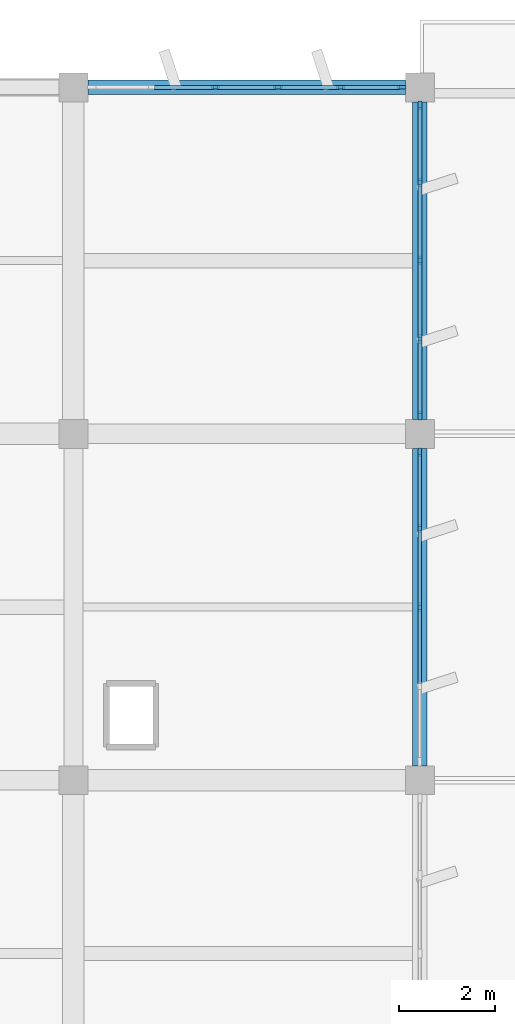
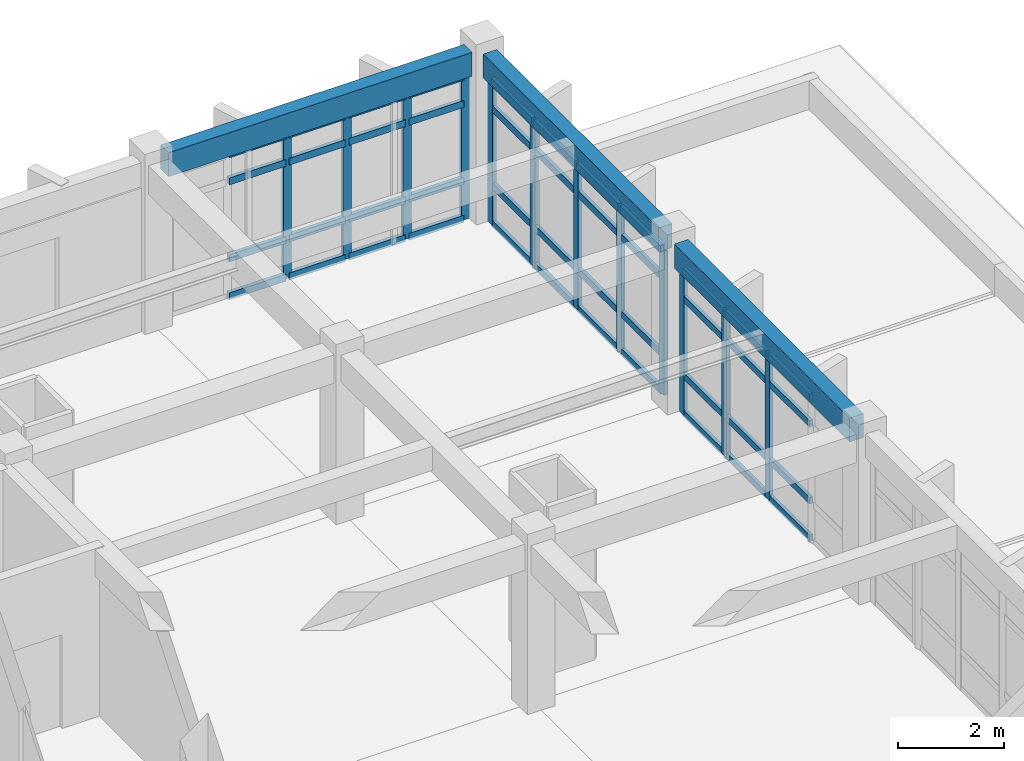
# One storey, part 25 of 62: 56 members, 3 beams, 3 elements without a shape of their own.
"""IFC4 building model written with IfcOpenShell, lengths in metres."""

from ifc_helpers import new_model, si_unit, direction, frame, origin, origin_2d, place, context, subcontext, project, spatial, rectangle, extrude, material, layer, layer_set, material_profile, profile_set, type_object, element, aggregate, save


model = new_model("IFC4")

# Units and contexts
model_context = context("Model", 3, precision=1e-05, world=origin(), true_north=direction((0.0, 1.0)))
body_context = subcontext(model_context, "Body", "Model", "MODEL_VIEW")
ifc_project = project(units=[si_unit("LENGTHUNIT", "METRE"), si_unit("AREAUNIT", "SQUARE_METRE"), si_unit("VOLUMEUNIT", "CUBIC_METRE"), si_unit("PLANEANGLEUNIT", "RADIAN"), si_unit("MASSUNIT", "GRAM", prefix="KILO")], contexts=[model_context])

# Site, building, storey
site_placement = place(None, origin())
site = spatial("IfcSite", under=ifc_project, at=site_placement, CompositionType="ELEMENT")
building_placement = place(site_placement, origin())
building = spatial("IfcBuilding", under=site, at=building_placement, Name="Kavelor Marine Aquarium", CompositionType="ELEMENT")
storey_placement = place(building_placement, frame((0.0, 0.0, 13.5)))
storey = spatial("IfcBuildingStorey", under=building, at=storey_placement, Name="L03", CompositionType="ELEMENT", Elevation=13.5)

# Beams
ifc_material_1 = material(Name="Concrete C40/50", Category="concrete")
ifc_material_profile_1 = material_profile(ifc_material_1, rectangle(XDim=0.300048828125, YDim=0.550048828125, at=origin_2d()), Name="RC-SP 300x550")
ifc_profile_set_1 = profile_set([ifc_material_profile_1], Name="Concrete C40/50")
beam_type = type_object("IfcBeamType", Name="BM-SP2", PredefinedType="SPANDREL", material=ifc_profile_set_1)
beam_placement = place(storey_placement, frame((140.300048828125, 110.800048828125, 3.60498046875), z_axis=(1.0, 0.0, 0.0), x_axis=(0.0, 1.0, 0.0)))
element("IfcBeam", 1, at=beam_placement, inside=storey, type_object=beam_type, Name="bm:x:L03:L04:19_15", PredefinedType="SPANDREL", context=body_context, shape_type="SweptSolid", body=[
    extrude(rectangle(XDim=0.300048828125, YDim=0.550048828125, at=origin_2d()), origin(), (0.0, 0.0, 1.0), 6.599853515625),
])
for number, where, z_axis, x_axis, name in (
    (2, (147.199951171875, 96.699951171875, 3.60498046875), (0.0, 1.0, 0.0), (-1.0, 0.0, 0.0), "bm:y:L03:L04:20_13"),
    (3, (147.199951171875, 103.89990234375, 3.60498046875), (0.0, 1.0, 0.0), (-1.0, 0.0, 0.0), "bm:y:L03:L04:20_14"),
):
    element("IfcBeam", number, at=place(storey_placement, frame(where, z_axis=z_axis, x_axis=x_axis)), inside=storey, type_object=beam_type, Name=name, PredefinedType="SPANDREL", context=body_context, shape_type="SweptSolid", body=[
        extrude(rectangle(XDim=0.300048828125, YDim=0.550048828125, at=origin_2d()), origin(), (0.0, 0.0, 1.0), 6.60009765625),
    ])

# Curtain wall, members
ifc_material_2 = material(Name="Thermally Broken Aluminium and Low-E Glass", Category="aluminium")
ifc_layer_1 = layer(ifc_material_2, 0.219970703125)
ifc_layer_set_1 = layer_set([ifc_layer_1], Name="CW-SYS10")
curtain_wall_type_1 = type_object("IfcCurtainWallType", Name="CW-SYS10", PredefinedType="USERDEFINED", material=ifc_layer_set_1)
curtain_wall_1_placement = place(storey_placement, origin())
curtain_wall_1 = element("IfcCurtainWall", 4, at=curtain_wall_1_placement, inside=storey, type_object=curtain_wall_type_1, Name="cw:x:L03:19_15", ObjectType="Curtain Wall", PredefinedType="USERDEFINED")
ifc_material_3 = material(Name="Anodised Aluminium Alloy 6063-T6", Category="aluminium")
ifc_material_profile_2 = material_profile(ifc_material_3, rectangle(XDim=0.074951171875, YDim=0.179931640625, at=origin_2d()), Name="CW-MUL 75x180")
ifc_profile_set_2 = profile_set([ifc_material_profile_2], Name="Anodised Aluminium Alloy 6063-T6")
member_type_1 = type_object("IfcMemberType", Name="CWM-1", PredefinedType="MULLION", material=ifc_profile_set_2)
member_1_placement = place(storey_placement, frame((142.948974609375, 110.800048828125, 0.0), z_axis=(0.0, 0.0, 1.0), x_axis=(0.0, 1.0, 0.0)))
member_1 = element("IfcMember", 5, at=member_1_placement, type_object=member_type_1, Name="CW10 mullion 3", PredefinedType="MULLION", context=body_context, shape_type="SweptSolid", body=[
    extrude(rectangle(XDim=0.074951171875, YDim=0.179931640625, at=origin_2d()), origin(), (0.0, 0.0, 1.0), 3.320068359375),
])
member_2_placement = place(storey_placement, frame((144.2509765625, 110.800048828125, 0.0), z_axis=(0.0, 0.0, 1.0), x_axis=(0.0, 1.0, 0.0)))
member_2 = element("IfcMember", 6, at=member_2_placement, type_object=member_type_1, Name="CW10 mullion 4", PredefinedType="MULLION", context=body_context, shape_type="SweptSolid", body=[
    extrude(rectangle(XDim=0.074951171875, YDim=0.179931640625, at=origin_2d()), origin(), (0.0, 0.0, 1.0), 3.320068359375),
])
member_3_placement = place(storey_placement, frame((145.552978515625, 110.800048828125, 0.0), z_axis=(0.0, 0.0, 1.0), x_axis=(0.0, 1.0, 0.0)))
member_3 = element("IfcMember", 7, at=member_3_placement, type_object=member_type_1, Name="CW10 mullion 5", PredefinedType="MULLION", context=body_context, shape_type="SweptSolid", body=[
    extrude(rectangle(XDim=0.074951171875, YDim=0.179931640625, at=origin_2d()), origin(), (0.0, 0.0, 1.0), 3.320068359375),
])
member_4_placement = place(storey_placement, frame((146.8173828125, 110.800048828125, 0.0), z_axis=(0.0, 0.0, 1.0), x_axis=(0.0, 1.0, 0.0)))
member_4 = element("IfcMember", 8, at=member_4_placement, type_object=member_type_1, Name="CW10 mullion 6", PredefinedType="MULLION", context=body_context, shape_type="SweptSolid", body=[
    extrude(rectangle(XDim=0.074951171875, YDim=0.179931640625, at=origin_2d()), origin(), (0.0, 0.0, 1.0), 3.320068359375),
])

ifc_material_4 = material(Name="Thermally Broken Aluminium and Low-E Glass", Category="aluminium")
ifc_layer_2 = layer(ifc_material_4, 0.243896484375)
ifc_layer_set_2 = layer_set([ifc_layer_2], Name="CW-SYS13")
curtain_wall_type_2 = type_object("IfcCurtainWallType", Name="CW-SYS13", PredefinedType="USERDEFINED", material=ifc_layer_set_2)
curtain_wall_2_placement = place(storey_placement, origin())
curtain_wall_2 = element("IfcCurtainWall", 9, at=curtain_wall_2_placement, inside=storey, type_object=curtain_wall_type_2, Name="cw:y:L03:20_13", ObjectType="Curtain Wall", PredefinedType="USERDEFINED")
member_5_placement = place(storey_placement, frame((147.199951171875, 100.0, 0.0), z_axis=(0.0, 0.0, 1.0), x_axis=(-1.0, 0.0, 0.0)))
member_5 = element("IfcMember", 10, at=member_5_placement, type_object=member_type_1, Name="CW13 mullion 3", PredefinedType="MULLION", context=body_context, shape_type="SweptSolid", body=[
    extrude(rectangle(XDim=0.074951171875, YDim=0.179931640625, at=origin_2d()), origin(), (0.0, 0.0, 1.0), 3.320068359375),
])
member_6_placement = place(storey_placement, frame((147.199951171875, 101.62744140625, 0.0), z_axis=(0.0, 0.0, 1.0), x_axis=(-1.0, 0.0, 0.0)))
member_6 = element("IfcMember", 11, at=member_6_placement, type_object=member_type_1, Name="CW13 mullion 4", PredefinedType="MULLION", context=body_context, shape_type="SweptSolid", body=[
    extrude(rectangle(XDim=0.074951171875, YDim=0.179931640625, at=origin_2d()), origin(), (0.0, 0.0, 1.0), 3.320068359375),
])
member_7_placement = place(storey_placement, frame((147.199951171875, 103.217529296875, 0.0), z_axis=(0.0, 0.0, 1.0), x_axis=(-1.0, 0.0, 0.0)))
member_7 = element("IfcMember", 12, at=member_7_placement, type_object=member_type_1, Name="CW13 mullion 5", PredefinedType="MULLION", context=body_context, shape_type="SweptSolid", body=[
    extrude(rectangle(XDim=0.074951171875, YDim=0.179931640625, at=origin_2d()), origin(), (0.0, 0.0, 1.0), 3.320068359375),
])

ifc_material_5 = material(Name="Thermally Broken Aluminium and Low-E Glass", Category="aluminium")
ifc_layer_3 = layer(ifc_material_5, 0.251953125)
ifc_layer_set_3 = layer_set([ifc_layer_3], Name="CW-SYS14")
curtain_wall_type_3 = type_object("IfcCurtainWallType", Name="CW-SYS14", PredefinedType="USERDEFINED", material=ifc_layer_set_3)
curtain_wall_3_placement = place(storey_placement, origin())
curtain_wall_3 = element("IfcCurtainWall", 13, at=curtain_wall_3_placement, inside=storey, type_object=curtain_wall_type_3, Name="cw:y:L03:20_14", ObjectType="Curtain Wall", PredefinedType="USERDEFINED")
ifc_material_6 = material(Name="Anodised Aluminium Alloy 6063-T6", Category="aluminium")
ifc_material_profile_3 = material_profile(ifc_material_6, rectangle(XDim=0.080078125, YDim=0.18505859375, at=origin_2d()), Name="CW-MUL 80x185")
ifc_profile_set_3 = profile_set([ifc_material_profile_3], Name="Anodised Aluminium Alloy 6063-T6")
member_type_2 = type_object("IfcMemberType", Name="CWM-2", PredefinedType="MULLION", material=ifc_profile_set_3)
member_8_placement = place(storey_placement, frame((147.199951171875, 103.9775390625, 0.0), z_axis=(0.0, 0.0, 1.0), x_axis=(-1.0, 0.0, 0.0)))
member_8 = element("IfcMember", 14, at=member_8_placement, type_object=member_type_2, Name="CW14 mullion 1", PredefinedType="MULLION", context=body_context, shape_type="SweptSolid", body=[
    extrude(rectangle(XDim=0.080078125, YDim=0.18505859375, at=origin_2d()), origin(), (0.0, 0.0, 1.0), 3.320068359375),
])
member_9_placement = place(storey_placement, frame((147.199951171875, 105.572509765625, 0.0), z_axis=(0.0, 0.0, 1.0), x_axis=(-1.0, 0.0, 0.0)))
member_9 = element("IfcMember", 15, at=member_9_placement, type_object=member_type_2, Name="CW14 mullion 2", PredefinedType="MULLION", context=body_context, shape_type="SweptSolid", body=[
    extrude(rectangle(XDim=0.080078125, YDim=0.18505859375, at=origin_2d()), origin(), (0.0, 0.0, 1.0), 3.320068359375),
])
member_10_placement = place(storey_placement, frame((147.199951171875, 107.199951171875, 0.0), z_axis=(0.0, 0.0, 1.0), x_axis=(-1.0, 0.0, 0.0)))
member_10 = element("IfcMember", 16, at=member_10_placement, type_object=member_type_2, Name="CW14 mullion 3", PredefinedType="MULLION", context=body_context, shape_type="SweptSolid", body=[
    extrude(rectangle(XDim=0.080078125, YDim=0.18505859375, at=origin_2d()), origin(), (0.0, 0.0, 1.0), 3.320068359375),
])
member_11_placement = place(storey_placement, frame((147.199951171875, 108.827392578125, 0.0), z_axis=(0.0, 0.0, 1.0), x_axis=(-1.0, 0.0, 0.0)))
member_11 = element("IfcMember", 17, at=member_11_placement, type_object=member_type_2, Name="CW14 mullion 4", PredefinedType="MULLION", context=body_context, shape_type="SweptSolid", body=[
    extrude(rectangle(XDim=0.080078125, YDim=0.18505859375, at=origin_2d()), origin(), (0.0, 0.0, 1.0), 3.320068359375),
])
member_12_placement = place(storey_placement, frame((147.199951171875, 110.422607421875, 0.0), z_axis=(0.0, 0.0, 1.0), x_axis=(-1.0, 0.0, 0.0)))
member_12 = element("IfcMember", 18, at=member_12_placement, type_object=member_type_2, Name="CW14 mullion 5", PredefinedType="MULLION", context=body_context, shape_type="SweptSolid", body=[
    extrude(rectangle(XDim=0.080078125, YDim=0.18505859375, at=origin_2d()), origin(), (0.0, 0.0, 1.0), 3.320068359375),
])

# Member
ifc_material_7 = material(Name="Anodised Aluminium Alloy 6063-T6", Category="aluminium")
ifc_material_profile_4 = material_profile(ifc_material_7, rectangle(XDim=0.074951171875, YDim=0.14990234375, at=origin_2d()), Name="CW-TRN 75x150")
ifc_profile_set_4 = profile_set([ifc_material_profile_4], Name="Anodised Aluminium Alloy 6063-T6")
member_type_3 = type_object("IfcMemberType", Name="CWT-1", PredefinedType="USERDEFINED", material=ifc_profile_set_4)
member_13_placement = place(storey_placement, frame((147.199951171875, 98.409912109375, 0.03759765625), z_axis=(0.0, 1.0, 0.0), x_axis=(-1.0, 0.0, 0.0)))
member_13 = element("IfcMember", 19, at=member_13_placement, type_object=member_type_3, Name="CW13 transom 2.1", ObjectType="TRANSOM", PredefinedType="USERDEFINED", context=body_context, shape_type="SweptSolid", body=[
    extrude(rectangle(XDim=0.074951171875, YDim=0.14990234375, at=origin_2d()), origin(), (0.0, 0.0, 1.0), 1.552490234375),
])

member_14_placement = place(storey_placement, frame((147.199951171875, 98.409912109375, 0.89990234375), z_axis=(0.0, 1.0, 0.0), x_axis=(-1.0, 0.0, 0.0)))
member_14 = element("IfcMember", 20, at=member_14_placement, type_object=member_type_3, Name="CW13 transom 2.2", ObjectType="TRANSOM", PredefinedType="USERDEFINED", context=body_context, shape_type="SweptSolid", body=[
    extrude(rectangle(XDim=0.074951171875, YDim=0.14990234375, at=origin_2d()), origin(), (0.0, 0.0, 1.0), 1.552490234375),
])

member_15_placement = place(storey_placement, frame((147.199951171875, 98.409912109375, 2.669921875), z_axis=(0.0, 1.0, 0.0), x_axis=(-1.0, 0.0, 0.0)))
member_15 = element("IfcMember", 21, at=member_15_placement, type_object=member_type_3, Name="CW13 transom 2.3", ObjectType="TRANSOM", PredefinedType="USERDEFINED", context=body_context, shape_type="SweptSolid", body=[
    extrude(rectangle(XDim=0.074951171875, YDim=0.14990234375, at=origin_2d()), origin(), (0.0, 0.0, 1.0), 1.552490234375),
])

member_16_placement = place(storey_placement, frame((147.199951171875, 98.409912109375, 3.282470703125), z_axis=(0.0, 1.0, 0.0), x_axis=(-1.0, 0.0, 0.0)))
member_16 = element("IfcMember", 22, at=member_16_placement, type_object=member_type_3, Name="CW13 transom 2.4", ObjectType="TRANSOM", PredefinedType="USERDEFINED", context=body_context, shape_type="SweptSolid", body=[
    extrude(rectangle(XDim=0.074951171875, YDim=0.14990234375, at=origin_2d()), origin(), (0.0, 0.0, 1.0), 1.552490234375),
])

member_17_placement = place(storey_placement, frame((147.199951171875, 100.03759765625, 0.03759765625), z_axis=(0.0, 1.0, 0.0), x_axis=(-1.0, 0.0, 0.0)))
member_17 = element("IfcMember", 23, at=member_17_placement, type_object=member_type_3, Name="CW13 transom 3.1", ObjectType="TRANSOM", PredefinedType="USERDEFINED", context=body_context, shape_type="SweptSolid", body=[
    extrude(rectangle(XDim=0.074951171875, YDim=0.14990234375, at=origin_2d()), origin(), (0.0, 0.0, 1.0), 1.552490234375),
])

member_18_placement = place(storey_placement, frame((147.199951171875, 100.03759765625, 0.89990234375), z_axis=(0.0, 1.0, 0.0), x_axis=(-1.0, 0.0, 0.0)))
member_18 = element("IfcMember", 24, at=member_18_placement, type_object=member_type_3, Name="CW13 transom 3.2", ObjectType="TRANSOM", PredefinedType="USERDEFINED", context=body_context, shape_type="SweptSolid", body=[
    extrude(rectangle(XDim=0.074951171875, YDim=0.14990234375, at=origin_2d()), origin(), (0.0, 0.0, 1.0), 1.552490234375),
])

member_19_placement = place(storey_placement, frame((147.199951171875, 100.03759765625, 2.669921875), z_axis=(0.0, 1.0, 0.0), x_axis=(-1.0, 0.0, 0.0)))
member_19 = element("IfcMember", 25, at=member_19_placement, type_object=member_type_3, Name="CW13 transom 3.3", ObjectType="TRANSOM", PredefinedType="USERDEFINED", context=body_context, shape_type="SweptSolid", body=[
    extrude(rectangle(XDim=0.074951171875, YDim=0.14990234375, at=origin_2d()), origin(), (0.0, 0.0, 1.0), 1.552490234375),
])

member_20_placement = place(storey_placement, frame((147.199951171875, 100.03759765625, 3.282470703125), z_axis=(0.0, 1.0, 0.0), x_axis=(-1.0, 0.0, 0.0)))
member_20 = element("IfcMember", 26, at=member_20_placement, type_object=member_type_3, Name="CW13 transom 3.4", ObjectType="TRANSOM", PredefinedType="USERDEFINED", context=body_context, shape_type="SweptSolid", body=[
    extrude(rectangle(XDim=0.074951171875, YDim=0.14990234375, at=origin_2d()), origin(), (0.0, 0.0, 1.0), 1.552490234375),
])

member_21_placement = place(storey_placement, frame((147.199951171875, 101.6650390625, 0.03759765625), z_axis=(0.0, 1.0, 0.0), x_axis=(-1.0, 0.0, 0.0)))
member_21 = element("IfcMember", 27, at=member_21_placement, type_object=member_type_3, Name="CW13 transom 4.1", ObjectType="TRANSOM", PredefinedType="USERDEFINED", context=body_context, shape_type="SweptSolid", body=[
    extrude(rectangle(XDim=0.074951171875, YDim=0.14990234375, at=origin_2d()), origin(), (0.0, 0.0, 1.0), 1.514892578125),
])

member_22_placement = place(storey_placement, frame((147.199951171875, 101.6650390625, 0.89990234375), z_axis=(0.0, 1.0, 0.0), x_axis=(-1.0, 0.0, 0.0)))
member_22 = element("IfcMember", 28, at=member_22_placement, type_object=member_type_3, Name="CW13 transom 4.2", ObjectType="TRANSOM", PredefinedType="USERDEFINED", context=body_context, shape_type="SweptSolid", body=[
    extrude(rectangle(XDim=0.074951171875, YDim=0.14990234375, at=origin_2d()), origin(), (0.0, 0.0, 1.0), 1.514892578125),
])

member_23_placement = place(storey_placement, frame((147.199951171875, 101.6650390625, 2.669921875), z_axis=(0.0, 1.0, 0.0), x_axis=(-1.0, 0.0, 0.0)))
member_23 = element("IfcMember", 29, at=member_23_placement, type_object=member_type_3, Name="CW13 transom 4.3", ObjectType="TRANSOM", PredefinedType="USERDEFINED", context=body_context, shape_type="SweptSolid", body=[
    extrude(rectangle(XDim=0.074951171875, YDim=0.14990234375, at=origin_2d()), origin(), (0.0, 0.0, 1.0), 1.514892578125),
])

member_24_placement = place(storey_placement, frame((147.199951171875, 101.6650390625, 3.282470703125), z_axis=(0.0, 1.0, 0.0), x_axis=(-1.0, 0.0, 0.0)))
member_24 = element("IfcMember", 30, at=member_24_placement, type_object=member_type_3, Name="CW13 transom 4.4", ObjectType="TRANSOM", PredefinedType="USERDEFINED", context=body_context, shape_type="SweptSolid", body=[
    extrude(rectangle(XDim=0.074951171875, YDim=0.14990234375, at=origin_2d()), origin(), (0.0, 0.0, 1.0), 1.514892578125),
])

aggregate(curtain_wall_2, [member_5, member_6, member_7, member_13, member_14, member_15, member_16, member_17, member_18, member_19, member_20, member_21, member_22, member_23, member_24])

ifc_material_8 = material(Name="Anodised Aluminium Alloy 6063-T6", Category="aluminium")
ifc_material_profile_5 = material_profile(ifc_material_8, rectangle(XDim=0.080078125, YDim=0.155029296875, at=origin_2d()), Name="CW-TRN 80x155")
ifc_profile_set_5 = profile_set([ifc_material_profile_5], Name="Anodised Aluminium Alloy 6063-T6")
member_type_4 = type_object("IfcMemberType", Name="CWT-2", PredefinedType="USERDEFINED", material=ifc_profile_set_5)
member_25_placement = place(storey_placement, frame((147.199951171875, 104.010009765625, 0.032470703125), z_axis=(0.0, 1.0, 0.0), x_axis=(-1.0, 0.0, 0.0)))
member_25 = element("IfcMember", 31, at=member_25_placement, type_object=member_type_4, Name="CW14 transom 1.1", ObjectType="TRANSOM", PredefinedType="USERDEFINED", context=body_context, shape_type="SweptSolid", body=[
    extrude(rectangle(XDim=0.080078125, YDim=0.155029296875, at=origin_2d()), origin(), (0.0, 0.0, 1.0), 1.530029296875),
])

member_26_placement = place(storey_placement, frame((147.199951171875, 104.010009765625, 0.89990234375), z_axis=(0.0, 1.0, 0.0), x_axis=(-1.0, 0.0, 0.0)))
member_26 = element("IfcMember", 32, at=member_26_placement, type_object=member_type_4, Name="CW14 transom 1.2", ObjectType="TRANSOM", PredefinedType="USERDEFINED", context=body_context, shape_type="SweptSolid", body=[
    extrude(rectangle(XDim=0.080078125, YDim=0.155029296875, at=origin_2d()), origin(), (0.0, 0.0, 1.0), 1.530029296875),
])

member_27_placement = place(storey_placement, frame((147.199951171875, 104.010009765625, 2.669921875), z_axis=(0.0, 1.0, 0.0), x_axis=(-1.0, 0.0, 0.0)))
member_27 = element("IfcMember", 33, at=member_27_placement, type_object=member_type_4, Name="CW14 transom 1.3", ObjectType="TRANSOM", PredefinedType="USERDEFINED", context=body_context, shape_type="SweptSolid", body=[
    extrude(rectangle(XDim=0.080078125, YDim=0.155029296875, at=origin_2d()), origin(), (0.0, 0.0, 1.0), 1.530029296875),
])

member_28_placement = place(storey_placement, frame((147.199951171875, 104.010009765625, 3.28759765625), z_axis=(0.0, 1.0, 0.0), x_axis=(-1.0, 0.0, 0.0)))
member_28 = element("IfcMember", 34, at=member_28_placement, type_object=member_type_4, Name="CW14 transom 1.4", ObjectType="TRANSOM", PredefinedType="USERDEFINED", context=body_context, shape_type="SweptSolid", body=[
    extrude(rectangle(XDim=0.080078125, YDim=0.155029296875, at=origin_2d()), origin(), (0.0, 0.0, 1.0), 1.530029296875),
])

member_29_placement = place(storey_placement, frame((147.199951171875, 105.60498046875, 0.032470703125), z_axis=(0.0, 1.0, 0.0), x_axis=(-1.0, 0.0, 0.0)))
member_29 = element("IfcMember", 35, at=member_29_placement, type_object=member_type_4, Name="CW14 transom 2.1", ObjectType="TRANSOM", PredefinedType="USERDEFINED", context=body_context, shape_type="SweptSolid", body=[
    extrude(rectangle(XDim=0.080078125, YDim=0.155029296875, at=origin_2d()), origin(), (0.0, 0.0, 1.0), 1.5625),
])

member_30_placement = place(storey_placement, frame((147.199951171875, 105.60498046875, 0.89990234375), z_axis=(0.0, 1.0, 0.0), x_axis=(-1.0, 0.0, 0.0)))
member_30 = element("IfcMember", 36, at=member_30_placement, type_object=member_type_4, Name="CW14 transom 2.2", ObjectType="TRANSOM", PredefinedType="USERDEFINED", context=body_context, shape_type="SweptSolid", body=[
    extrude(rectangle(XDim=0.080078125, YDim=0.155029296875, at=origin_2d()), origin(), (0.0, 0.0, 1.0), 1.5625),
])

member_31_placement = place(storey_placement, frame((147.199951171875, 105.60498046875, 2.669921875), z_axis=(0.0, 1.0, 0.0), x_axis=(-1.0, 0.0, 0.0)))
member_31 = element("IfcMember", 37, at=member_31_placement, type_object=member_type_4, Name="CW14 transom 2.3", ObjectType="TRANSOM", PredefinedType="USERDEFINED", context=body_context, shape_type="SweptSolid", body=[
    extrude(rectangle(XDim=0.080078125, YDim=0.155029296875, at=origin_2d()), origin(), (0.0, 0.0, 1.0), 1.5625),
])

member_32_placement = place(storey_placement, frame((147.199951171875, 105.60498046875, 3.28759765625), z_axis=(0.0, 1.0, 0.0), x_axis=(-1.0, 0.0, 0.0)))
member_32 = element("IfcMember", 38, at=member_32_placement, type_object=member_type_4, Name="CW14 transom 2.4", ObjectType="TRANSOM", PredefinedType="USERDEFINED", context=body_context, shape_type="SweptSolid", body=[
    extrude(rectangle(XDim=0.080078125, YDim=0.155029296875, at=origin_2d()), origin(), (0.0, 0.0, 1.0), 1.5625),
])

member_33_placement = place(storey_placement, frame((147.199951171875, 107.232421875, 0.032470703125), z_axis=(0.0, 1.0, 0.0), x_axis=(-1.0, 0.0, 0.0)))
member_33 = element("IfcMember", 39, at=member_33_placement, type_object=member_type_4, Name="CW14 transom 3.1", ObjectType="TRANSOM", PredefinedType="USERDEFINED", context=body_context, shape_type="SweptSolid", body=[
    extrude(rectangle(XDim=0.080078125, YDim=0.155029296875, at=origin_2d()), origin(), (0.0, 0.0, 1.0), 1.5625),
])

member_34_placement = place(storey_placement, frame((147.199951171875, 107.232421875, 0.89990234375), z_axis=(0.0, 1.0, 0.0), x_axis=(-1.0, 0.0, 0.0)))
member_34 = element("IfcMember", 40, at=member_34_placement, type_object=member_type_4, Name="CW14 transom 3.2", ObjectType="TRANSOM", PredefinedType="USERDEFINED", context=body_context, shape_type="SweptSolid", body=[
    extrude(rectangle(XDim=0.080078125, YDim=0.155029296875, at=origin_2d()), origin(), (0.0, 0.0, 1.0), 1.5625),
])

member_35_placement = place(storey_placement, frame((147.199951171875, 107.232421875, 2.669921875), z_axis=(0.0, 1.0, 0.0), x_axis=(-1.0, 0.0, 0.0)))
member_35 = element("IfcMember", 41, at=member_35_placement, type_object=member_type_4, Name="CW14 transom 3.3", ObjectType="TRANSOM", PredefinedType="USERDEFINED", context=body_context, shape_type="SweptSolid", body=[
    extrude(rectangle(XDim=0.080078125, YDim=0.155029296875, at=origin_2d()), origin(), (0.0, 0.0, 1.0), 1.5625),
])

member_36_placement = place(storey_placement, frame((147.199951171875, 107.232421875, 3.28759765625), z_axis=(0.0, 1.0, 0.0), x_axis=(-1.0, 0.0, 0.0)))
member_36 = element("IfcMember", 42, at=member_36_placement, type_object=member_type_4, Name="CW14 transom 3.4", ObjectType="TRANSOM", PredefinedType="USERDEFINED", context=body_context, shape_type="SweptSolid", body=[
    extrude(rectangle(XDim=0.080078125, YDim=0.155029296875, at=origin_2d()), origin(), (0.0, 0.0, 1.0), 1.5625),
])

member_37_placement = place(storey_placement, frame((147.199951171875, 108.860107421875, 0.032470703125), z_axis=(0.0, 1.0, 0.0), x_axis=(-1.0, 0.0, 0.0)))
member_37 = element("IfcMember", 43, at=member_37_placement, type_object=member_type_4, Name="CW14 transom 4.1", ObjectType="TRANSOM", PredefinedType="USERDEFINED", context=body_context, shape_type="SweptSolid", body=[
    extrude(rectangle(XDim=0.080078125, YDim=0.155029296875, at=origin_2d()), origin(), (0.0, 0.0, 1.0), 1.52978515625),
])

member_38_placement = place(storey_placement, frame((147.199951171875, 108.860107421875, 0.89990234375), z_axis=(0.0, 1.0, 0.0), x_axis=(-1.0, 0.0, 0.0)))
member_38 = element("IfcMember", 44, at=member_38_placement, type_object=member_type_4, Name="CW14 transom 4.2", ObjectType="TRANSOM", PredefinedType="USERDEFINED", context=body_context, shape_type="SweptSolid", body=[
    extrude(rectangle(XDim=0.080078125, YDim=0.155029296875, at=origin_2d()), origin(), (0.0, 0.0, 1.0), 1.52978515625),
])

member_39_placement = place(storey_placement, frame((147.199951171875, 108.860107421875, 2.669921875), z_axis=(0.0, 1.0, 0.0), x_axis=(-1.0, 0.0, 0.0)))
member_39 = element("IfcMember", 45, at=member_39_placement, type_object=member_type_4, Name="CW14 transom 4.3", ObjectType="TRANSOM", PredefinedType="USERDEFINED", context=body_context, shape_type="SweptSolid", body=[
    extrude(rectangle(XDim=0.080078125, YDim=0.155029296875, at=origin_2d()), origin(), (0.0, 0.0, 1.0), 1.52978515625),
])

member_40_placement = place(storey_placement, frame((147.199951171875, 108.860107421875, 3.28759765625), z_axis=(0.0, 1.0, 0.0), x_axis=(-1.0, 0.0, 0.0)))
member_40 = element("IfcMember", 46, at=member_40_placement, type_object=member_type_4, Name="CW14 transom 4.4", ObjectType="TRANSOM", PredefinedType="USERDEFINED", context=body_context, shape_type="SweptSolid", body=[
    extrude(rectangle(XDim=0.080078125, YDim=0.155029296875, at=origin_2d()), origin(), (0.0, 0.0, 1.0), 1.52978515625),
])

aggregate(curtain_wall_3, [member_8, member_9, member_10, member_11, member_12, member_25, member_26, member_27, member_28, member_29, member_30, member_31, member_32, member_33, member_34, member_35, member_36, member_37, member_38, member_39, member_40])

ifc_material_9 = material(Name="Anodised Aluminium Alloy 6063-T6", Category="aluminium")
ifc_material_profile_6 = material_profile(ifc_material_9, rectangle(XDim=0.0849609375, YDim=0.159912109375, at=origin_2d()), Name="CW-TRN 85x160")
ifc_profile_set_6 = profile_set([ifc_material_profile_6], Name="Anodised Aluminium Alloy 6063-T6")
member_type_5 = type_object("IfcMemberType", Name="CWT-3", PredefinedType="USERDEFINED", material=ifc_profile_set_6)
member_41_placement = place(storey_placement, frame((141.6845703125, 110.800048828125, 0.030029296875), z_axis=(1.0, 0.0, 0.0), x_axis=(0.0, 1.0, 0.0)))
member_41 = element("IfcMember", 47, at=member_41_placement, type_object=member_type_5, Name="CW10 transom 2.1", ObjectType="TRANSOM", PredefinedType="USERDEFINED", context=body_context, shape_type="SweptSolid", body=[
    extrude(rectangle(XDim=0.0849609375, YDim=0.159912109375, at=origin_2d()), origin(), (0.0, 0.0, 1.0), 1.22705078125),
])

member_42_placement = place(storey_placement, frame((141.6845703125, 110.800048828125, 0.89990234375), z_axis=(1.0, 0.0, 0.0), x_axis=(0.0, 1.0, 0.0)))
member_42 = element("IfcMember", 48, at=member_42_placement, type_object=member_type_5, Name="CW10 transom 2.2", ObjectType="TRANSOM", PredefinedType="USERDEFINED", context=body_context, shape_type="SweptSolid", body=[
    extrude(rectangle(XDim=0.0849609375, YDim=0.159912109375, at=origin_2d()), origin(), (0.0, 0.0, 1.0), 1.22705078125),
])

member_43_placement = place(storey_placement, frame((141.6845703125, 110.800048828125, 2.669921875), z_axis=(1.0, 0.0, 0.0), x_axis=(0.0, 1.0, 0.0)))
member_43 = element("IfcMember", 49, at=member_43_placement, type_object=member_type_5, Name="CW10 transom 2.3", ObjectType="TRANSOM", PredefinedType="USERDEFINED", context=body_context, shape_type="SweptSolid", body=[
    extrude(rectangle(XDim=0.0849609375, YDim=0.159912109375, at=origin_2d()), origin(), (0.0, 0.0, 1.0), 1.22705078125),
])

member_44_placement = place(storey_placement, frame((141.6845703125, 110.800048828125, 3.2900390625), z_axis=(1.0, 0.0, 0.0), x_axis=(0.0, 1.0, 0.0)))
member_44 = element("IfcMember", 50, at=member_44_placement, type_object=member_type_5, Name="CW10 transom 2.4", ObjectType="TRANSOM", PredefinedType="USERDEFINED", context=body_context, shape_type="SweptSolid", body=[
    extrude(rectangle(XDim=0.0849609375, YDim=0.159912109375, at=origin_2d()), origin(), (0.0, 0.0, 1.0), 1.22705078125),
])

member_45_placement = place(storey_placement, frame((142.986572265625, 110.800048828125, 0.030029296875), z_axis=(1.0, 0.0, 0.0), x_axis=(0.0, 1.0, 0.0)))
member_45 = element("IfcMember", 51, at=member_45_placement, type_object=member_type_5, Name="CW10 transom 3.1", ObjectType="TRANSOM", PredefinedType="USERDEFINED", context=body_context, shape_type="SweptSolid", body=[
    extrude(rectangle(XDim=0.0849609375, YDim=0.159912109375, at=origin_2d()), origin(), (0.0, 0.0, 1.0), 1.226806640625),
])

member_46_placement = place(storey_placement, frame((142.986572265625, 110.800048828125, 0.89990234375), z_axis=(1.0, 0.0, 0.0), x_axis=(0.0, 1.0, 0.0)))
member_46 = element("IfcMember", 52, at=member_46_placement, type_object=member_type_5, Name="CW10 transom 3.2", ObjectType="TRANSOM", PredefinedType="USERDEFINED", context=body_context, shape_type="SweptSolid", body=[
    extrude(rectangle(XDim=0.0849609375, YDim=0.159912109375, at=origin_2d()), origin(), (0.0, 0.0, 1.0), 1.226806640625),
])

member_47_placement = place(storey_placement, frame((142.986572265625, 110.800048828125, 2.669921875), z_axis=(1.0, 0.0, 0.0), x_axis=(0.0, 1.0, 0.0)))
member_47 = element("IfcMember", 53, at=member_47_placement, type_object=member_type_5, Name="CW10 transom 3.3", ObjectType="TRANSOM", PredefinedType="USERDEFINED", context=body_context, shape_type="SweptSolid", body=[
    extrude(rectangle(XDim=0.0849609375, YDim=0.159912109375, at=origin_2d()), origin(), (0.0, 0.0, 1.0), 1.226806640625),
])

member_48_placement = place(storey_placement, frame((142.986572265625, 110.800048828125, 3.2900390625), z_axis=(1.0, 0.0, 0.0), x_axis=(0.0, 1.0, 0.0)))
member_48 = element("IfcMember", 54, at=member_48_placement, type_object=member_type_5, Name="CW10 transom 3.4", ObjectType="TRANSOM", PredefinedType="USERDEFINED", context=body_context, shape_type="SweptSolid", body=[
    extrude(rectangle(XDim=0.0849609375, YDim=0.159912109375, at=origin_2d()), origin(), (0.0, 0.0, 1.0), 1.226806640625),
])

member_49_placement = place(storey_placement, frame((144.28857421875, 110.800048828125, 0.030029296875), z_axis=(1.0, 0.0, 0.0), x_axis=(0.0, 1.0, 0.0)))
member_49 = element("IfcMember", 55, at=member_49_placement, type_object=member_type_5, Name="CW10 transom 4.1", ObjectType="TRANSOM", PredefinedType="USERDEFINED", context=body_context, shape_type="SweptSolid", body=[
    extrude(rectangle(XDim=0.0849609375, YDim=0.159912109375, at=origin_2d()), origin(), (0.0, 0.0, 1.0), 1.226806640625),
])

member_50_placement = place(storey_placement, frame((144.28857421875, 110.800048828125, 0.89990234375), z_axis=(1.0, 0.0, 0.0), x_axis=(0.0, 1.0, 0.0)))
member_50 = element("IfcMember", 56, at=member_50_placement, type_object=member_type_5, Name="CW10 transom 4.2", ObjectType="TRANSOM", PredefinedType="USERDEFINED", context=body_context, shape_type="SweptSolid", body=[
    extrude(rectangle(XDim=0.0849609375, YDim=0.159912109375, at=origin_2d()), origin(), (0.0, 0.0, 1.0), 1.226806640625),
])

member_51_placement = place(storey_placement, frame((144.28857421875, 110.800048828125, 2.669921875), z_axis=(1.0, 0.0, 0.0), x_axis=(0.0, 1.0, 0.0)))
member_51 = element("IfcMember", 57, at=member_51_placement, type_object=member_type_5, Name="CW10 transom 4.3", ObjectType="TRANSOM", PredefinedType="USERDEFINED", context=body_context, shape_type="SweptSolid", body=[
    extrude(rectangle(XDim=0.0849609375, YDim=0.159912109375, at=origin_2d()), origin(), (0.0, 0.0, 1.0), 1.226806640625),
])

member_52_placement = place(storey_placement, frame((144.28857421875, 110.800048828125, 3.2900390625), z_axis=(1.0, 0.0, 0.0), x_axis=(0.0, 1.0, 0.0)))
member_52 = element("IfcMember", 58, at=member_52_placement, type_object=member_type_5, Name="CW10 transom 4.4", ObjectType="TRANSOM", PredefinedType="USERDEFINED", context=body_context, shape_type="SweptSolid", body=[
    extrude(rectangle(XDim=0.0849609375, YDim=0.159912109375, at=origin_2d()), origin(), (0.0, 0.0, 1.0), 1.226806640625),
])

member_53_placement = place(storey_placement, frame((145.590576171875, 110.800048828125, 0.030029296875), z_axis=(1.0, 0.0, 0.0), x_axis=(0.0, 1.0, 0.0)))
member_53 = element("IfcMember", 59, at=member_53_placement, type_object=member_type_5, Name="CW10 transom 5.1", ObjectType="TRANSOM", PredefinedType="USERDEFINED", context=body_context, shape_type="SweptSolid", body=[
    extrude(rectangle(XDim=0.0849609375, YDim=0.159912109375, at=origin_2d()), origin(), (0.0, 0.0, 1.0), 1.189453125),
])

member_54_placement = place(storey_placement, frame((145.590576171875, 110.800048828125, 0.89990234375), z_axis=(1.0, 0.0, 0.0), x_axis=(0.0, 1.0, 0.0)))
member_54 = element("IfcMember", 60, at=member_54_placement, type_object=member_type_5, Name="CW10 transom 5.2", ObjectType="TRANSOM", PredefinedType="USERDEFINED", context=body_context, shape_type="SweptSolid", body=[
    extrude(rectangle(XDim=0.0849609375, YDim=0.159912109375, at=origin_2d()), origin(), (0.0, 0.0, 1.0), 1.189453125),
])

member_55_placement = place(storey_placement, frame((145.590576171875, 110.800048828125, 2.669921875), z_axis=(1.0, 0.0, 0.0), x_axis=(0.0, 1.0, 0.0)))
member_55 = element("IfcMember", 61, at=member_55_placement, type_object=member_type_5, Name="CW10 transom 5.3", ObjectType="TRANSOM", PredefinedType="USERDEFINED", context=body_context, shape_type="SweptSolid", body=[
    extrude(rectangle(XDim=0.0849609375, YDim=0.159912109375, at=origin_2d()), origin(), (0.0, 0.0, 1.0), 1.189453125),
])

member_56_placement = place(storey_placement, frame((145.590576171875, 110.800048828125, 3.2900390625), z_axis=(1.0, 0.0, 0.0), x_axis=(0.0, 1.0, 0.0)))
member_56 = element("IfcMember", 62, at=member_56_placement, type_object=member_type_5, Name="CW10 transom 5.4", ObjectType="TRANSOM", PredefinedType="USERDEFINED", context=body_context, shape_type="SweptSolid", body=[
    extrude(rectangle(XDim=0.0849609375, YDim=0.159912109375, at=origin_2d()), origin(), (0.0, 0.0, 1.0), 1.189453125),
])

aggregate(curtain_wall_1, [member_1, member_2, member_3, member_4, member_41, member_42, member_43, member_44, member_45, member_46, member_47, member_48, member_49, member_50, member_51, member_52, member_53, member_54, member_55, member_56])

save(model, "model.ifc")
